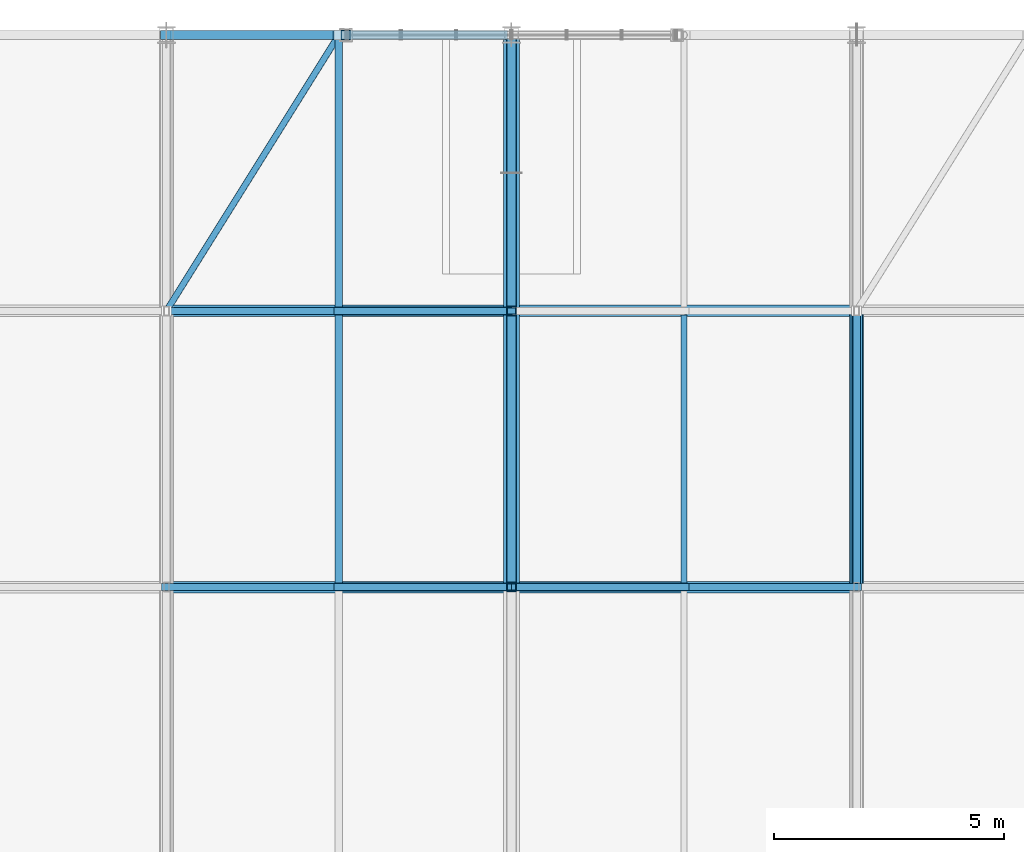
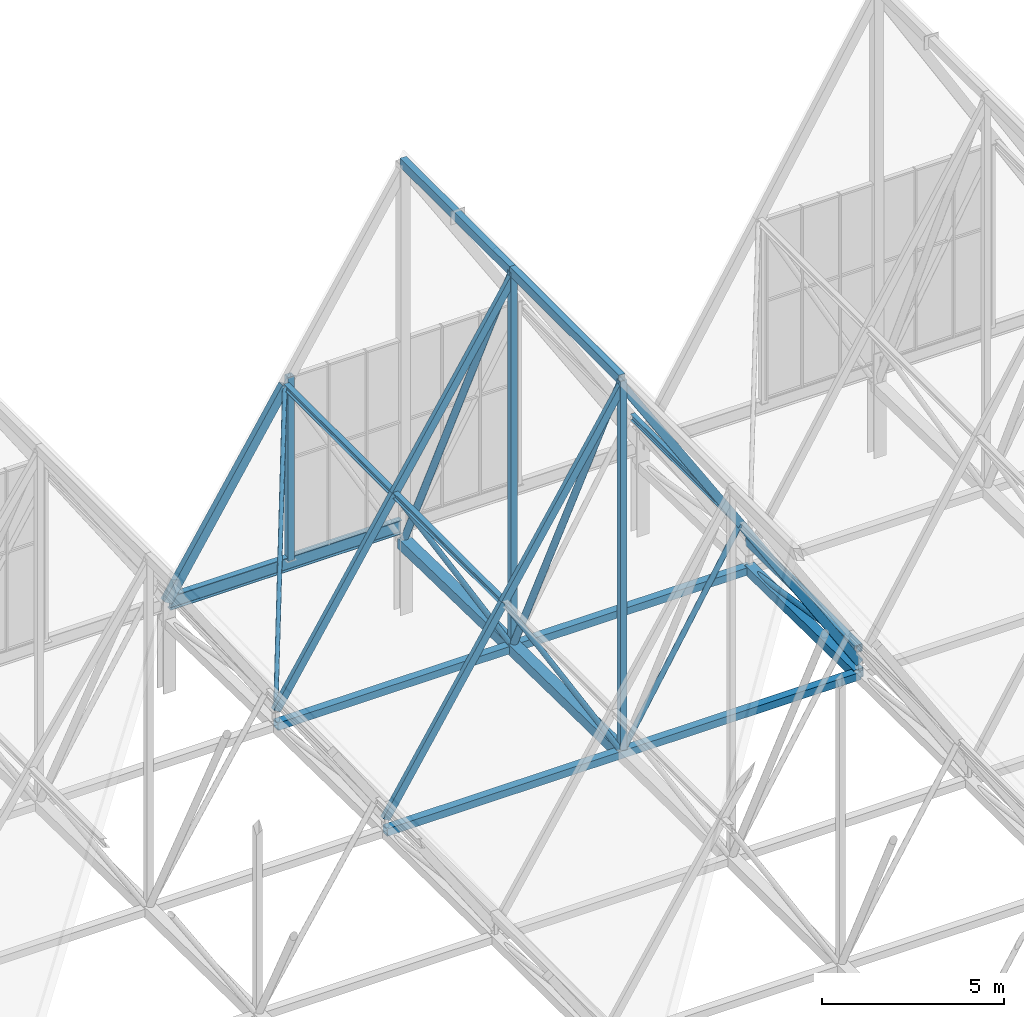
# One storey, part 110 of 324: 25 members, 4 beams.
"""IFC4 building model written with IfcOpenShell, lengths in metres."""

from ifc_helpers import new_model, si_unit, direction, frame, origin, origin_2d, place, context, subcontext, project, spatial, hollow_rectangle, hollow_circle, i_section, extrude, material, material_profile, profile_set, type_object, element, save


model = new_model("IFC4")

# Units and contexts
model_context = context("Model", 3, precision=1e-05, world=origin(), true_north=direction((0.0, 1.0)))
body_context = subcontext(model_context, "Body", "Model", "MODEL_VIEW")
ifc_project = project(units=[si_unit("LENGTHUNIT", "METRE"), si_unit("AREAUNIT", "SQUARE_METRE"), si_unit("VOLUMEUNIT", "CUBIC_METRE"), si_unit("PLANEANGLEUNIT", "RADIAN"), si_unit("MASSUNIT", "GRAM", prefix="KILO")], contexts=[model_context])

# Site, building, storey
site_placement = place(None, origin())
site = spatial("IfcSite", under=ifc_project, at=site_placement, CompositionType="ELEMENT")
building_placement = place(site_placement, origin())
building = spatial("IfcBuilding", under=site, at=building_placement, Name="Solvenia Promenade Tram Depot", CompositionType="ELEMENT")
storey_placement = place(building_placement, frame((0.0, 0.0, 4.5)))
storey = spatial("IfcBuildingStorey", under=building, at=storey_placement, Name="L01", CompositionType="ELEMENT", Elevation=4.5)

# Members
ifc_material_1 = material(Name="Structural steel ASTM A500 Gr. C", Category="steel")
ifc_material_profile_1 = material_profile(ifc_material_1, hollow_circle(Radius=0.109619140625, WallThickness=0.008056640625, at=origin_2d()), Name="CHS219.1x8", Category="steel")
ifc_profile_set_1 = profile_set([ifc_material_profile_1], Name="Structural steel ASTM A500 Gr. C")
member_type_1 = type_object("IfcMemberType", Name="Brace-CHS219x8", PredefinedType="BRACE", material=ifc_profile_set_1)
member_1_placement = place(storey_placement, frame((22.5, 120.0, 2.446044921875), z_axis=(0.0, -0.430100688275, 0.902780924669), x_axis=(1.0, 0.0, 0.0)))
element("IfcMember", 1, at=member_1_placement, inside=storey, type_object=member_type_1, Name="Arched Truss T04 Web Diagonal S09", PredefinedType="BRACE", context=body_context, shape_type="SweptSolid", body=[
    extrude(hollow_circle(Radius=0.109619140625, WallThickness=0.008056640625, at=origin_2d()), origin(), (0.0, 0.0, 1.0), 13.9501953125),
])
member_2_placement = place(storey_placement, frame((22.5, 126.0, 2.320068359375), z_axis=(0.0, -0.426619479473, 0.904431213379), x_axis=(1.0, 0.0, 0.0)))
element("IfcMember", 2, at=member_2_placement, inside=storey, type_object=member_type_1, Name="Arched Truss T04 Web Diagonal S10", PredefinedType="BRACE", context=body_context, shape_type="SweptSolid", body=[
    extrude(hollow_circle(Radius=0.109619140625, WallThickness=0.008056640625, at=origin_2d()), origin(), (0.0, 0.0, 1.0), 14.06396484375),
])
ifc_material_profile_2 = material_profile(ifc_material_1, hollow_rectangle(XDim=0.14990234375, YDim=0.25, WallThickness=0.010009765625, at=origin_2d()), Name="HSS250x150x10", Category="steel")
ifc_profile_set_2 = profile_set([ifc_material_profile_2], Name="Structural steel ASTM A500 Gr. C")
member_type_2 = type_object("IfcMemberType", Name="Chord-HSS250x150x10", PredefinedType="CHORD", material=ifc_profile_set_2)
member_3_placement = place(storey_placement, frame((15.0, 114.0, 2.942626953125), z_axis=(0.533506771487, 0.0, 0.845795793781), x_axis=(0.0, 1.0, 0.0)))
element("IfcMember", 3, at=member_3_placement, inside=storey, type_object=member_type_2, Name="Zigzag Gable 02 West Lower Rafter", PredefinedType="CHORD", context=body_context, shape_type="SweptSolid", body=[
    extrude(hollow_rectangle(XDim=0.14990234375, YDim=0.25, WallThickness=0.010009765625, at=origin_2d()), origin(), (0.0, 0.0, 1.0), 7.029052734375),
])
for number, where, z_axis, x_axis, name in (
    (4, (18.75, 114.0, 8.8876953125), (0.533522444929, 0.0, 0.845785907164), (0.0, 1.0, 0.0), "Zigzag Gable 02 West Upper Rafter"),
    (5, (22.5, 114.0, 14.83251953125), (0.533522444929, 0.0, -0.845785907164), (0.0, 1.0, 0.0), "Zigzag Gable 02 East Upper Rafter"),
):
    element("IfcMember", number, at=place(storey_placement, frame(where, z_axis=z_axis, x_axis=x_axis)), inside=storey, type_object=member_type_2, Name=name, PredefinedType="CHORD", context=body_context, shape_type="SweptSolid", body=[
        extrude(hollow_rectangle(XDim=0.14990234375, YDim=0.25, WallThickness=0.010009765625, at=origin_2d()), origin(), (0.0, 0.0, 1.0), 7.02880859375),
    ])
for number, where, z_axis, x_axis, name in (
    (6, (26.25, 114.0, 8.8876953125), (0.533506771487, 0.0, -0.845795793781), (0.0, 1.0, 0.0), "Zigzag Gable 02 East Lower Rafter"),
    (7, (15.0, 120.0, 2.942626953125), (0.533506771487, 0.0, 0.845795793781), (0.0, 1.0, 0.0), "Zigzag Gable 02 West Lower Rafter"),
):
    element("IfcMember", number, at=place(storey_placement, frame(where, z_axis=z_axis, x_axis=x_axis)), inside=storey, type_object=member_type_2, Name=name, PredefinedType="CHORD", context=body_context, shape_type="SweptSolid", body=[
        extrude(hollow_rectangle(XDim=0.14990234375, YDim=0.25, WallThickness=0.010009765625, at=origin_2d()), origin(), (0.0, 0.0, 1.0), 7.029052734375),
    ])
member_4_placement = place(storey_placement, frame((18.75, 120.0, 8.8876953125), z_axis=(0.533522444929, 0.0, 0.845785907164), x_axis=(0.0, 1.0, 0.0)))
element("IfcMember", 8, at=member_4_placement, inside=storey, type_object=member_type_2, Name="Zigzag Gable 02 West Upper Rafter", PredefinedType="CHORD", context=body_context, shape_type="SweptSolid", body=[
    extrude(hollow_rectangle(XDim=0.14990234375, YDim=0.25, WallThickness=0.010009765625, at=origin_2d()), origin(), (0.0, 0.0, 1.0), 7.02880859375),
])
ifc_material_profile_3 = material_profile(ifc_material_1, hollow_rectangle(XDim=0.25, YDim=0.25, WallThickness=0.010009765625, at=origin_2d()), Name="HSS250x250x10", Category="steel")
ifc_profile_set_3 = profile_set([ifc_material_profile_3], Name="Structural steel ASTM A500 Gr. C")
member_type_3 = type_object("IfcMemberType", Name="Chord-HSS250x250x10", PredefinedType="CHORD", material=ifc_profile_set_3)
member_5_placement = place(storey_placement, frame((30.0, 114.0, 3.3798828125), z_axis=(0.0, 1.0, 0.0), x_axis=(-1.0, 0.0, 0.0)))
element("IfcMember", 9, at=member_5_placement, inside=storey, type_object=member_type_3, Name="Arched Truss T05 Upper Chord S09", PredefinedType="CHORD", context=body_context, shape_type="SweptSolid", body=[
    extrude(hollow_rectangle(XDim=0.25, YDim=0.25, WallThickness=0.010009765625, at=origin_2d()), origin(), (0.0, 0.0, 1.0), 6.0),
])
for number, where, z_axis, x_axis, name in (
    (10, (15.0, 114.0, 2.5439453125), (1.0, 0.0, 0.0), (0.0, 1.0, 0.0), "Bottom-Chord Catenary Lateral Tie 017"),
    (11, (15.0, 120.0, 2.446044921875), (1.0, 0.0, 0.0), (0.0, 1.0, 0.0), "Bottom-Chord Catenary Lateral Tie 018"),
):
    element("IfcMember", number, at=place(storey_placement, frame(where, z_axis=z_axis, x_axis=x_axis)), inside=storey, type_object=member_type_3, Name=name, PredefinedType="CHORD", context=body_context, shape_type="SweptSolid", body=[
        extrude(hollow_rectangle(XDim=0.25, YDim=0.25, WallThickness=0.010009765625, at=origin_2d()), origin(), (0.0, 0.0, 1.0), 15.0),
    ])
ifc_material_profile_4 = material_profile(ifc_material_1, hollow_rectangle(XDim=0.199951171875, YDim=0.300048828125, WallThickness=0.012451171875, at=origin_2d()), Name="HSS300x200x12.5", Category="steel")
ifc_profile_set_4 = profile_set([ifc_material_profile_4], Name="Structural steel ASTM A500 Gr. C")
member_type_4 = type_object("IfcMemberType", Name="Chord-HSS300x200x12", PredefinedType="CHORD", material=ifc_profile_set_4)
for number, where, z_axis, x_axis, name in (
    (12, (22.5, 114.0, 15.0400390625), (0.0, 1.0, 0.0), (-1.0, 0.0, 0.0), "Arched Truss T04 Upper Chord S09"),
    (13, (22.5, 120.0, 15.0400390625), (0.0, 1.0, 0.0), (-1.0, 0.0, 0.0), "Arched Truss T04 Upper Chord S10"),
):
    element("IfcMember", number, at=place(storey_placement, frame(where, z_axis=z_axis, x_axis=x_axis)), inside=storey, type_object=member_type_4, Name=name, PredefinedType="CHORD", context=body_context, shape_type="SweptSolid", body=[
        extrude(hollow_rectangle(XDim=0.199951171875, YDim=0.300048828125, WallThickness=0.012451171875, at=origin_2d()), origin(), (0.0, 0.0, 1.0), 6.0),
    ])
member_6_placement = place(storey_placement, frame((15.0, 126.0, 2.942626953125), z_axis=(0.533506771487, 0.0, 0.845795793781), x_axis=(0.0, 1.0, 0.0)))
element("IfcMember", 14, at=member_6_placement, inside=storey, type_object=member_type_4, Name="Zigzag Gable 02 West Lower Rafter", PredefinedType="CHORD", context=body_context, shape_type="SweptSolid", body=[
    extrude(hollow_rectangle(XDim=0.199951171875, YDim=0.300048828125, WallThickness=0.012451171875, at=origin_2d()), origin(), (0.0, 0.0, 1.0), 7.029052734375),
])
ifc_material_profile_5 = material_profile(ifc_material_1, hollow_rectangle(XDim=0.300048828125, YDim=0.300048828125, WallThickness=0.012451171875, at=origin_2d()), Name="HSS300x300x12.5", Category="steel")
ifc_profile_set_5 = profile_set([ifc_material_profile_5], Name="Structural steel ASTM A500 Gr. C")
member_type_5 = type_object("IfcMemberType", Name="Chord-HSS300x300x12", PredefinedType="CHORD", material=ifc_profile_set_5)
member_7_placement = place(storey_placement, frame((30.0, 114.0, 2.5439453125), z_axis=(0.0, 0.999866908707, -0.016314560156), x_axis=(-1.0, 0.0, 0.0)))
element("IfcMember", 15, at=member_7_placement, inside=storey, type_object=member_type_5, Name="Arched Truss T05 Bottom Chord S09", PredefinedType="CHORD", context=body_context, shape_type="SweptSolid", body=[
    extrude(hollow_rectangle(XDim=0.300048828125, YDim=0.300048828125, WallThickness=0.012451171875, at=origin_2d()), origin(), (0.0, 0.0, 1.0), 6.000732421875),
])
ifc_material_profile_6 = material_profile(ifc_material_1, hollow_rectangle(XDim=0.35009765625, YDim=0.35009765625, WallThickness=0.01611328125, at=origin_2d()), Name="HSS350x350x16", Category="steel")
ifc_profile_set_6 = profile_set([ifc_material_profile_6], Name="Structural steel ASTM A500 Gr. C")
member_type_6 = type_object("IfcMemberType", Name="Chord-HSS350x350x16", PredefinedType="CHORD", material=ifc_profile_set_6)
member_8_placement = place(storey_placement, frame((22.5, 114.0, 2.5439453125), z_axis=(0.0, 0.999866908707, -0.016314560156), x_axis=(-1.0, 0.0, 0.0)))
element("IfcMember", 16, at=member_8_placement, inside=storey, type_object=member_type_6, Name="Arched Truss T04 Bottom Chord S09", PredefinedType="CHORD", context=body_context, shape_type="SweptSolid", body=[
    extrude(hollow_rectangle(XDim=0.35009765625, YDim=0.35009765625, WallThickness=0.01611328125, at=origin_2d()), origin(), (0.0, 0.0, 1.0), 6.000732421875),
])
member_9_placement = place(storey_placement, frame((22.5, 120.0, 2.446044921875), z_axis=(0.0, 0.999779654873, -0.020991467363), x_axis=(-1.0, 0.0, 0.0)))
element("IfcMember", 17, at=member_9_placement, inside=storey, type_object=member_type_6, Name="Arched Truss T04 Bottom Chord S10", PredefinedType="CHORD", context=body_context, shape_type="SweptSolid", body=[
    extrude(hollow_rectangle(XDim=0.35009765625, YDim=0.35009765625, WallThickness=0.01611328125, at=origin_2d()), origin(), (0.0, 0.0, 1.0), 6.001220703125),
])
ifc_material_profile_7 = material_profile(ifc_material_1, hollow_rectangle(XDim=0.199951171875, YDim=0.199951171875, WallThickness=0.010009765625, at=origin_2d()), Name="HSS200x200x10", Category="steel")
ifc_profile_set_7 = profile_set([ifc_material_profile_7], Name="Structural steel ASTM A500 Gr. C")
member_type_7 = type_object("IfcMemberType", Name="Post-HSS200x200x10", PredefinedType="POST", material=ifc_profile_set_7)
member_10_placement = place(storey_placement, frame((22.5, 114.0, 2.5439453125), z_axis=(0.0, 0.0, 1.0), x_axis=(1.0, 0.0, 0.0)))
element("IfcMember", 18, at=member_10_placement, inside=storey, type_object=member_type_7, Name="Arched Truss T04 Web Post S08", PredefinedType="POST", context=body_context, shape_type="SweptSolid", body=[
    extrude(hollow_rectangle(XDim=0.199951171875, YDim=0.199951171875, WallThickness=0.010009765625, at=origin_2d()), origin(), (0.0, 0.0, 1.0), 12.49609375),
])
member_11_placement = place(storey_placement, frame((22.5, 120.0, 2.446044921875), z_axis=(0.0, 0.0, 1.0), x_axis=(1.0, 0.0, 0.0)))
element("IfcMember", 19, at=member_11_placement, inside=storey, type_object=member_type_7, Name="Arched Truss T04 Web Post S09", PredefinedType="POST", context=body_context, shape_type="SweptSolid", body=[
    extrude(hollow_rectangle(XDim=0.199951171875, YDim=0.199951171875, WallThickness=0.010009765625, at=origin_2d()), origin(), (0.0, 0.0, 1.0), 12.593994140625),
])
member_12_placement = place(storey_placement, frame((18.89990234375, 126.0, 3.0), z_axis=(0.0, 0.0, 1.0), x_axis=(1.0, 0.0, 0.0)))
element("IfcMember", 20, at=member_12_placement, inside=storey, type_object=member_type_7, Name="Gable Curtain-Wall Steel Jamb Post 005", PredefinedType="POST", context=body_context, shape_type="SweptSolid", body=[
    extrude(hollow_rectangle(XDim=0.199951171875, YDim=0.199951171875, WallThickness=0.010009765625, at=origin_2d()), origin(), (0.0, 0.0, 1.0), 6.14990234375),
])

# Beams
ifc_material_2 = material(Name="Structural steel ASTM A992 Gr. 50", Category="steel")
ifc_material_profile_8 = material_profile(ifc_material_2, i_section(OverallWidth=0.133056640625, OverallDepth=0.20703125, WebThickness=0.005859375, FlangeThickness=0.00830078125, FilletRadius=0.009033203125, at=origin_2d()), Name="W200x27", Category="steel")
ifc_profile_set_8 = profile_set([ifc_material_profile_8], Name="Structural steel ASTM A992 Gr. 50")
beam_type_1 = type_object("IfcBeamType", Name="Purlin-W200x27", PredefinedType="USERDEFINED", material=ifc_profile_set_8)
beam_1_placement = place(storey_placement, frame((26.25, 114.0849609375, 8.8857421875), z_axis=(0.0, 1.0, 0.0), x_axis=(-1.0, 0.0, 0.0)))
element("IfcBeam", 21, at=beam_1_placement, inside=storey, type_object=beam_type_1, Name="Gable Roof Purlin E-0038", ObjectType="PURLIN", PredefinedType="USERDEFINED", context=body_context, shape_type="SweptSolid", body=[
    extrude(i_section(OverallWidth=0.133056640625, OverallDepth=0.20703125, WebThickness=0.005859375, FlangeThickness=0.00830078125, FilletRadius=0.009033203125, at=origin_2d()), origin(), (0.0, 0.0, 1.0), 5.830078125),
])
ifc_material_profile_9 = material_profile(ifc_material_2, i_section(OverallWidth=0.1650390625, OverallDepth=0.200927734375, WebThickness=0.006103515625, FlangeThickness=0.01025390625, FilletRadius=0.010009765625, at=origin_2d()), Name="W200x36", Category="steel")
ifc_profile_set_9 = profile_set([ifc_material_profile_9], Name="Structural steel ASTM A992 Gr. 50")
beam_type_2 = type_object("IfcBeamType", Name="Purlin-W200x36", PredefinedType="USERDEFINED", material=ifc_profile_set_9)
for number, where, z_axis, x_axis, name in (
    (22, (18.75, 114.0849609375, 8.8857421875), (0.0, 1.0, 0.0), (-1.0, 0.0, 0.0), "Gable Roof Purlin W-0037"),
    (23, (18.75, 120.0849609375, 8.8857421875), (0.0, 1.0, 0.0), (-1.0, 0.0, 0.0), "Gable Roof Purlin W-0039"),
):
    element("IfcBeam", number, at=place(storey_placement, frame(where, z_axis=z_axis, x_axis=x_axis)), inside=storey, type_object=beam_type_2, Name=name, ObjectType="PURLIN", PredefinedType="USERDEFINED", context=body_context, shape_type="SweptSolid", body=[
        extrude(i_section(OverallWidth=0.1650390625, OverallDepth=0.200927734375, WebThickness=0.006103515625, FlangeThickness=0.01025390625, FilletRadius=0.010009765625, at=origin_2d()), origin(), (0.0, 0.0, 1.0), 5.830078125),
    ])

# Member
ifc_material_profile_10 = material_profile(ifc_material_1, hollow_circle(Radius=0.06982421875, WallThickness=0.00634765625, at=origin_2d()), Name="CHS139.7x6.3", Category="steel")
ifc_profile_set_10 = profile_set([ifc_material_profile_10], Name="Structural steel ASTM A500 Gr. C")
member_type_8 = type_object("IfcMemberType", Name="RoofBrace-CHS140x6", PredefinedType="BRACE", material=ifc_profile_set_10)
member_13_placement = place(storey_placement, frame((15.0, 120.0, 2.942626953125), z_axis=(0.40577587023, 0.649241392368, 0.643297409894), x_axis=(-0.847998304005, 0.529998940003, 0.0)))
element("IfcMember", 24, at=member_13_placement, inside=storey, type_object=member_type_8, Name="Roof Plan Wind Brace 004", PredefinedType="BRACE", context=body_context, shape_type="SweptSolid", body=[
    extrude(hollow_circle(Radius=0.06982421875, WallThickness=0.00634765625, at=origin_2d()), origin(), (0.0, 0.0, 1.0), 9.241455078125),
])

# Beam
ifc_material_profile_11 = material_profile(ifc_material_2, i_section(OverallWidth=0.19091796875, OverallDepth=0.4599609375, WebThickness=0.010009765625, FlangeThickness=0.01611328125, FilletRadius=0.012939453125, at=origin_2d()), Name="W460x82", Category="steel")
ifc_profile_set_11 = profile_set([ifc_material_profile_11], Name="Structural steel ASTM A992 Gr. 50")
beam_type_3 = type_object("IfcBeamType", Name="Spandrel-W460x82", PredefinedType="SPANDREL", material=ifc_profile_set_11)
beam_2_placement = place(storey_placement, frame((15.0849609375, 126.0, 2.889892578125), z_axis=(1.0, 0.0, 0.0), x_axis=(0.0, 1.0, 0.0)))
element("IfcBeam", 25, at=beam_2_placement, inside=storey, type_object=beam_type_3, Name="North Shed Eave Girder BM-L01-0970", PredefinedType="SPANDREL", context=body_context, shape_type="SweptSolid", body=[
    extrude(i_section(OverallWidth=0.19091796875, OverallDepth=0.4599609375, WebThickness=0.010009765625, FlangeThickness=0.01611328125, FilletRadius=0.012939453125, at=origin_2d()), origin(), (0.0, 0.0, 1.0), 7.330078125),
])

# Members
ifc_material_profile_12 = material_profile(ifc_material_1, hollow_circle(Radius=0.084228515625, WallThickness=0.008056640625, at=origin_2d()), Name="CHS168.3x8", Category="steel")
ifc_profile_set_12 = profile_set([ifc_material_profile_12], Name="Structural steel ASTM A500 Gr. C")
member_type_9 = type_object("IfcMemberType", Name="WebDiag-CHS168x8", PredefinedType="BRACE", material=ifc_profile_set_12)
member_14_placement = place(storey_placement, frame((30.0, 120.0, 2.446044921875), z_axis=(0.0, -0.9881038455, 0.153788135133), x_axis=(1.0, 0.0, 0.0)))
element("IfcMember", 26, at=member_14_placement, inside=storey, type_object=member_type_9, Name="Arched Truss T05 Web Diagonal S09", PredefinedType="BRACE", context=body_context, shape_type="SweptSolid", body=[
    extrude(hollow_circle(Radius=0.084228515625, WallThickness=0.008056640625, at=origin_2d()), origin(), (0.0, 0.0, 1.0), 6.072265625),
])
for number, where, z_axis, x_axis, name in (
    (27, (22.5, 114.0, 2.5439453125), (-0.508872173777, 0.0, 0.860842093973), (0.0, -1.0, 0.0), "Zigzag Gable 02 West Knee Strut"),
    (28, (22.5, 114.0, 2.5439453125), (0.508872173777, 0.0, 0.860842093973), (0.0, 1.0, 0.0), "Zigzag Gable 02 East Knee Strut"),
):
    element("IfcMember", number, at=place(storey_placement, frame(where, z_axis=z_axis, x_axis=x_axis)), inside=storey, type_object=member_type_9, Name=name, PredefinedType="BRACE", context=body_context, shape_type="SweptSolid", body=[
        extrude(hollow_circle(Radius=0.084228515625, WallThickness=0.008056640625, at=origin_2d()), origin(), (0.0, 0.0, 1.0), 7.369140625),
    ])
member_15_placement = place(storey_placement, frame((22.5, 120.0, 2.446044921875), z_axis=(-0.503107125653, 0.0, 0.864224056664), x_axis=(0.0, -1.0, 0.0)))
element("IfcMember", 29, at=member_15_placement, inside=storey, type_object=member_type_9, Name="Zigzag Gable 02 West Knee Strut", PredefinedType="BRACE", context=body_context, shape_type="SweptSolid", body=[
    extrude(hollow_circle(Radius=0.084228515625, WallThickness=0.008056640625, at=origin_2d()), origin(), (0.0, 0.0, 1.0), 7.45361328125),
])

save(model, "model.ifc")
